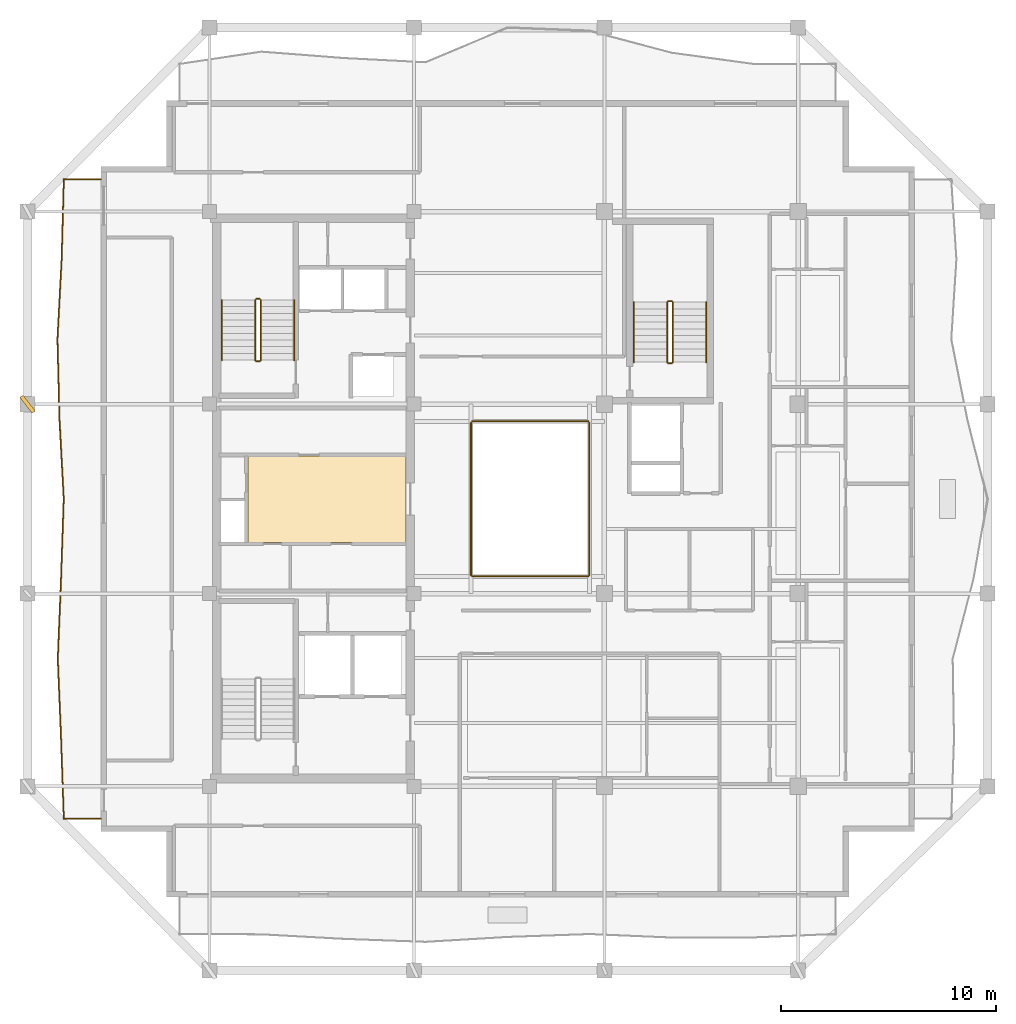
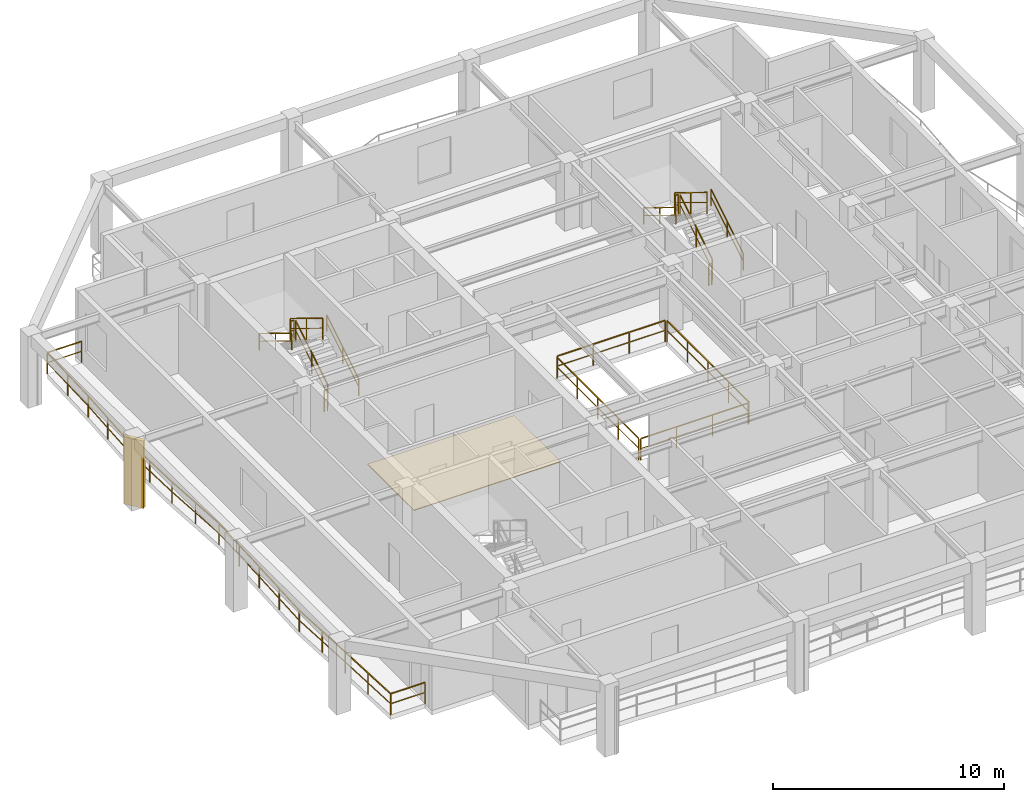
# One storey, part 8 of 10: 17 railings, 1 covering, 1 shading device.
"""IFC4 building model written with IfcOpenShell, lengths in metres."""

from ifc_helpers import new_model, si_unit, direction, frame, origin, origin_2d, place, context, subcontext, project, spatial, polyline, rectangle, outline, extrude, material, layer, layer_set, type_object, element, save


model = new_model("IFC4")

# Units and contexts
model_context = context("Model", 3, precision=1e-05, world=origin(), true_north=direction((0.0, 1.0)))
body_context = subcontext(model_context, "Body", "Model", "MODEL_VIEW")
ifc_project = project(units=[si_unit("LENGTHUNIT", "METRE"), si_unit("AREAUNIT", "SQUARE_METRE"), si_unit("VOLUMEUNIT", "CUBIC_METRE"), si_unit("PLANEANGLEUNIT", "RADIAN"), si_unit("MASSUNIT", "GRAM", prefix="KILO")], contexts=[model_context])

# Site, building, storey
site_placement = place(None, origin())
site = spatial("IfcSite", under=ifc_project, at=site_placement, CompositionType="ELEMENT")
building_placement = place(site_placement, origin())
building = spatial("IfcBuilding", under=site, at=building_placement, Name="Kundavana Baori Tower", CompositionType="ELEMENT")
storey_placement = place(building_placement, frame((0.0, 0.0, 312.5)))
storey = spatial("IfcBuildingStorey", under=building, at=storey_placement, Name="L77", CompositionType="ELEMENT", Elevation=312.5)

# Covering
ifc_material_1 = material(Name="Honed Kota Stone and Terrazzo Flooring", Category="masonry")
ifc_layer = layer(ifc_material_1, 0.0400390625, Name="COV-FLR-TERR-40")
ifc_layer_set = layer_set([ifc_layer], Name="Honed Kota Stone and Terrazzo Flooring")
covering_type = type_object("IfcCoveringType", Name="COV-FLR-TERR-40", PredefinedType="FLOORING", material=ifc_layer_set)
covering_placement = place(storey_placement, origin())
element("IfcCovering", 1, at=covering_placement, inside=storey, type_object=covering_type, Name="L77 Core Lift Lobby Kota Stone Flooring", PredefinedType="FLOORING", context=body_context, shape_type="SweptSolid", body=[
    extrude(outline(polyline([(17.25, 26.580078125), (24.580078125, 26.580078125), (24.580078125, 30.60009765625), (17.25, 30.60009765625), (17.25, 26.580078125)])), origin(), (0.0, 0.0, 1.0), 0.0400390625),
])

# Railings
ifc_material_2 = material(Name="Architectural Patinated Bronze Metalwork")
railing_type_1 = type_object("IfcRailingType", Name="RL-BAL-1150", PredefinedType="BALUSTRADE", material=ifc_material_2)
railing_1_placement = place(storey_placement, frame((10.39990234375, 13.75, 0.0)))
element("IfcRailing", 2, at=railing_1_placement, inside=storey, type_object=railing_type_1, Name="L77 Loggia Balcony Balustrade W", PredefinedType="BALUSTRADE", context=body_context, shape_type="SweptSolid", body=[
    extrude(rectangle(XDim=0.048095703125, YDim=0.048095703125, at=origin_2d()), frame((0.0, 0.0, 1.1259765625), z_axis=(-1.0, 0.0, 0.0), x_axis=(0.0, -1.0, 0.0)), (0.0, 0.0, 1.0), 1.719970703125),
    extrude(rectangle(XDim=0.03125, YDim=0.03125, at=origin_2d()), frame((0.0, 0.0, 0.597900390625), z_axis=(-1.0, 0.0, 0.0), x_axis=(0.0, -1.0, 0.0)), (0.0, 0.0, 1.0), 1.719970703125),
    extrude(rectangle(XDim=0.048095703125, YDim=0.048095703125, at=origin_2d()), frame((-1.719970703125, 0.0, 1.1259765625), z_axis=(-0.034444164091, 0.999406623732, 0.0), x_axis=(-0.999406623732, -0.034444164091, 0.0)), (0.0, 0.0, 1.0), 3.714111328125),
    extrude(rectangle(XDim=0.03125, YDim=0.03125, at=origin_2d()), frame((-1.719970703125, 0.0, 0.597900390625), z_axis=(-0.034444164091, 0.999406623732, 0.0), x_axis=(-0.999406623732, -0.034444164091, 0.0)), (0.0, 0.0, 1.0), 3.714111328125),
    extrude(rectangle(XDim=0.048095703125, YDim=0.048095703125, at=origin_2d()), frame((-1.847900390625, 3.7119140625, 1.1259765625), z_axis=(-0.040928264878, 0.999162087518, 0.0), x_axis=(-0.999162087518, -0.040928264878, 0.0)), (0.0, 0.0, 1.0), 3.71630859375),
    extrude(rectangle(XDim=0.03125, YDim=0.03125, at=origin_2d()), frame((-1.847900390625, 3.7119140625, 0.597900390625), z_axis=(-0.040928264878, 0.999162087518, 0.0), x_axis=(-0.999162087518, -0.040928264878, 0.0)), (0.0, 0.0, 1.0), 3.71630859375),
    extrude(rectangle(XDim=0.048095703125, YDim=0.048095703125, at=origin_2d()), frame((-2.0, 7.425048828125, 1.1259765625), z_axis=(0.040668588609, 0.99917269073, 0.0), x_axis=(-0.99917269073, 0.040668588609, 0.0)), (0.0, 0.0, 1.0), 3.716064453125),
    extrude(rectangle(XDim=0.03125, YDim=0.03125, at=origin_2d()), frame((-2.0, 7.425048828125, 0.597900390625), z_axis=(0.040668588609, 0.99917269073, 0.0), x_axis=(-0.99917269073, 0.040668588609, 0.0)), (0.0, 0.0, 1.0), 3.716064453125),
    extrude(rectangle(XDim=0.048095703125, YDim=0.048095703125, at=origin_2d()), frame((-1.848876953125, 11.137939453125, 1.1259765625), z_axis=(0.033654059412, 0.999433541705, 0.0), x_axis=(-0.999433541705, 0.033654059412, 0.0)), (0.0, 0.0, 1.0), 3.71435546875),
    extrude(rectangle(XDim=0.03125, YDim=0.03125, at=origin_2d()), frame((-1.848876953125, 11.137939453125, 0.597900390625), z_axis=(0.033654059412, 0.999433541705, 0.0), x_axis=(-0.999433541705, 0.033654059412, 0.0)), (0.0, 0.0, 1.0), 3.71435546875),
    extrude(rectangle(XDim=0.048095703125, YDim=0.048095703125, at=origin_2d()), frame((-1.723876953125, 14.85009765625, 1.1259765625), z_axis=(-0.053265502015, 0.998580385495, 0.0), x_axis=(-0.998580385495, -0.053265502015, 0.0)), (0.0, 0.0, 1.0), 3.71728515625),
    extrude(rectangle(XDim=0.03125, YDim=0.03125, at=origin_2d()), frame((-1.723876953125, 14.85009765625, 0.597900390625), z_axis=(-0.053265502015, 0.998580385495, 0.0), x_axis=(-0.998580385495, -0.053265502015, 0.0)), (0.0, 0.0, 1.0), 3.71728515625),
    extrude(rectangle(XDim=0.048095703125, YDim=0.048095703125, at=origin_2d()), frame((-1.921875, 18.56201171875, 1.1259765625), z_axis=(-0.025307515105, 0.999679713548, 0.0), x_axis=(-0.999679713548, -0.025307515105, 0.0)), (0.0, 0.0, 1.0), 3.714111328125),
    extrude(rectangle(XDim=0.03125, YDim=0.03125, at=origin_2d()), frame((-1.921875, 18.56201171875, 0.597900390625), z_axis=(-0.025307515105, 0.999679713548, 0.0), x_axis=(-0.999679713548, -0.025307515105, 0.0)), (0.0, 0.0, 1.0), 3.714111328125),
    extrude(rectangle(XDim=0.048095703125, YDim=0.048095703125, at=origin_2d()), frame((-2.015869140625, 22.27490234375, 1.1259765625), z_axis=(0.052462338074, 0.998622903344, 0.0), x_axis=(-0.998622903344, 0.052462338074, 0.0)), (0.0, 0.0, 1.0), 3.71826171875),
    extrude(rectangle(XDim=0.03125, YDim=0.03125, at=origin_2d()), frame((-2.015869140625, 22.27490234375, 0.597900390625), z_axis=(0.052462338074, 0.998622903344, 0.0), x_axis=(-0.998622903344, 0.052462338074, 0.0)), (0.0, 0.0, 1.0), 3.71826171875),
    extrude(rectangle(XDim=0.048095703125, YDim=0.048095703125, at=origin_2d()), frame((-1.82080078125, 25.988037109375, 1.1259765625), z_axis=(0.027153887959, 0.999631265202, 0.0), x_axis=(-0.999631265202, 0.027153887959, 0.0)), (0.0, 0.0, 1.0), 3.71337890625),
    extrude(rectangle(XDim=0.03125, YDim=0.03125, at=origin_2d()), frame((-1.82080078125, 25.988037109375, 0.597900390625), z_axis=(0.027153887959, 0.999631265202, 0.0), x_axis=(-0.999631265202, 0.027153887959, 0.0)), (0.0, 0.0, 1.0), 3.71337890625),
    extrude(rectangle(XDim=0.048095703125, YDim=0.048095703125, at=origin_2d()), frame((-1.719970703125, 29.699951171875, 1.1259765625), z_axis=(1.0, 0.0, 0.0), x_axis=(0.0, 1.0, 0.0)), (0.0, 0.0, 1.0), 1.719970703125),
    extrude(rectangle(XDim=0.03125, YDim=0.03125, at=origin_2d()), frame((-1.719970703125, 29.699951171875, 0.597900390625), z_axis=(1.0, 0.0, 0.0), x_axis=(0.0, 1.0, 0.0)), (0.0, 0.0, 1.0), 1.719970703125),
    extrude(rectangle(XDim=0.0419921875, YDim=0.0419921875, at=origin_2d()), origin(), (0.0, 0.0, 1.0), 1.101806640625),
    extrude(rectangle(XDim=0.0419921875, YDim=0.0419921875, at=origin_2d()), frame((-1.719970703125, 0.0, 0.0)), (0.0, 0.0, 1.0), 1.101806640625),
    extrude(rectangle(XDim=0.0419921875, YDim=0.0419921875, at=origin_2d()), frame((-1.783935546875, 1.85595703125, 0.0)), (0.0, 0.0, 1.0), 1.101806640625),
    extrude(rectangle(XDim=0.0419921875, YDim=0.0419921875, at=origin_2d()), frame((-1.847900390625, 3.7119140625, 0.0)), (0.0, 0.0, 1.0), 1.101806640625),
    extrude(rectangle(XDim=0.0419921875, YDim=0.0419921875, at=origin_2d()), frame((-1.923828125, 5.568359375, 0.0)), (0.0, 0.0, 1.0), 1.101806640625),
    extrude(rectangle(XDim=0.0419921875, YDim=0.0419921875, at=origin_2d()), frame((-2.0, 7.425048828125, 0.0)), (0.0, 0.0, 1.0), 1.101806640625),
    extrude(rectangle(XDim=0.0419921875, YDim=0.0419921875, at=origin_2d()), frame((-1.92431640625, 9.281494140625, 0.0)), (0.0, 0.0, 1.0), 1.101806640625),
    extrude(rectangle(XDim=0.0419921875, YDim=0.0419921875, at=origin_2d()), frame((-1.848876953125, 11.137939453125, 0.0)), (0.0, 0.0, 1.0), 1.101806640625),
    extrude(rectangle(XDim=0.0419921875, YDim=0.0419921875, at=origin_2d()), frame((-1.786376953125, 12.994140625, 0.0)), (0.0, 0.0, 1.0), 1.101806640625),
    extrude(rectangle(XDim=0.0419921875, YDim=0.0419921875, at=origin_2d()), frame((-1.723876953125, 14.85009765625, 0.0)), (0.0, 0.0, 1.0), 1.101806640625),
    extrude(rectangle(XDim=0.0419921875, YDim=0.0419921875, at=origin_2d()), frame((-1.82275390625, 16.7060546875, 0.0)), (0.0, 0.0, 1.0), 1.101806640625),
    extrude(rectangle(XDim=0.0419921875, YDim=0.0419921875, at=origin_2d()), frame((-1.921875, 18.56201171875, 0.0)), (0.0, 0.0, 1.0), 1.101806640625),
    extrude(rectangle(XDim=0.0419921875, YDim=0.0419921875, at=origin_2d()), frame((-1.96875, 20.41845703125, 0.0)), (0.0, 0.0, 1.0), 1.101806640625),
    extrude(rectangle(XDim=0.0419921875, YDim=0.0419921875, at=origin_2d()), frame((-2.015869140625, 22.27490234375, 0.0)), (0.0, 0.0, 1.0), 1.101806640625),
    extrude(rectangle(XDim=0.0419921875, YDim=0.0419921875, at=origin_2d()), frame((-1.91845703125, 24.13134765625, 0.0)), (0.0, 0.0, 1.0), 1.101806640625),
    extrude(rectangle(XDim=0.0419921875, YDim=0.0419921875, at=origin_2d()), frame((-1.82080078125, 25.988037109375, 0.0)), (0.0, 0.0, 1.0), 1.101806640625),
    extrude(rectangle(XDim=0.0419921875, YDim=0.0419921875, at=origin_2d()), frame((-1.7705078125, 27.843994140625, 0.0)), (0.0, 0.0, 1.0), 1.101806640625),
    extrude(rectangle(XDim=0.0419921875, YDim=0.0419921875, at=origin_2d()), frame((-1.719970703125, 29.699951171875, 0.0)), (0.0, 0.0, 1.0), 1.101806640625),
    extrude(rectangle(XDim=0.0419921875, YDim=0.0419921875, at=origin_2d()), frame((0.0, 29.699951171875, 0.0)), (0.0, 0.0, 1.0), 1.101806640625),
])
ifc_material_3 = material(Name="Architectural Patinated Bronze Metalwork")
railing_type_2 = type_object("IfcRailingType", Name="RL-GRD-1150", PredefinedType="GUARDRAIL", material=ifc_material_3)
railing_2_placement = place(storey_placement, frame((17.840087890625, 35.050048828125, 0.18994140625)))
element("IfcRailing", 3, at=railing_2_placement, inside=storey, type_object=railing_type_2, Name="L77 ST2 stair guard 1", PredefinedType="GUARDRAIL", context=body_context, shape_type="SweptSolid", body=[
    extrude(rectangle(XDim=0.048095703125, YDim=0.048095703125, at=origin_2d()), frame((0.0, 0.0, 1.1259765625), z_axis=(0.0, 0.852609830418, 0.522548061975), x_axis=(-1.0, 0.0, 0.0)), (0.0, 0.0, 1.0), 3.2724609375),
    extrude(rectangle(XDim=0.03125, YDim=0.03125, at=origin_2d()), frame((0.0, 0.0, 0.597900390625), z_axis=(0.0, 0.852609830418, 0.522548061975), x_axis=(-1.0, 0.0, 0.0)), (0.0, 0.0, 1.0), 3.2724609375),
    extrude(rectangle(XDim=0.0419921875, YDim=0.0419921875, at=origin_2d()), origin(), (0.0, 0.0, 1.0), 1.101806640625),
    extrude(rectangle(XDim=0.0419921875, YDim=0.0419921875, at=origin_2d()), frame((0.0, 1.39501953125, 0.85498046875)), (0.0, 0.0, 1.0), 1.101806640625),
    extrude(rectangle(XDim=0.0419921875, YDim=0.0419921875, at=origin_2d()), frame((0.0, 2.7900390625, 1.7099609375)), (0.0, 0.0, 1.0), 1.101806640625),
])
railing_3_placement = place(storey_placement, frame((17.7900390625, 37.889892578125, 1.89990234375)))
element("IfcRailing", 4, at=railing_3_placement, inside=storey, type_object=railing_type_2, Name="L77 ST2 stair guard 2", PredefinedType="GUARDRAIL", context=body_context, shape_type="SweptSolid", body=[
    extrude(rectangle(XDim=0.048095703125, YDim=0.048095703125, at=origin_2d()), frame((0.0, 0.0, 1.1259765625), z_axis=(-1.0, 0.0, 0.0), x_axis=(0.0, -1.0, 0.0)), (0.0, 0.0, 1.0), 0.16015625),
    extrude(rectangle(XDim=0.03125, YDim=0.03125, at=origin_2d()), frame((0.0, 0.0, 0.597900390625), z_axis=(-1.0, 0.0, 0.0), x_axis=(0.0, -1.0, 0.0)), (0.0, 0.0, 1.0), 0.16015625),
    extrude(rectangle(XDim=0.0419921875, YDim=0.0419921875, at=origin_2d()), origin(), (0.0, 0.0, 1.0), 1.101806640625),
    extrude(rectangle(XDim=0.0419921875, YDim=0.0419921875, at=origin_2d()), frame((-0.16015625, 0.0, 0.0)), (0.0, 0.0, 1.0), 1.101806640625),
])
railing_4_placement = place(storey_placement, frame((17.580078125, 37.840087890625, 2.090087890625)))
element("IfcRailing", 5, at=railing_4_placement, inside=storey, type_object=railing_type_2, Name="L77 ST2 stair guard 3", PredefinedType="GUARDRAIL", context=body_context, shape_type="SweptSolid", body=[
    extrude(rectangle(XDim=0.048095703125, YDim=0.048095703125, at=origin_2d()), frame((0.0, 0.0, 1.1259765625), z_axis=(0.0, -0.852609830418, 0.522548061975), x_axis=(1.0, 0.0, 0.0)), (0.0, 0.0, 1.0), 3.2724609375),
    extrude(rectangle(XDim=0.03125, YDim=0.03125, at=origin_2d()), frame((0.0, 0.0, 0.597900390625), z_axis=(0.0, -0.852609830418, 0.522548061975), x_axis=(1.0, 0.0, 0.0)), (0.0, 0.0, 1.0), 3.2724609375),
    extrude(rectangle(XDim=0.0419921875, YDim=0.0419921875, at=origin_2d()), origin(), (0.0, 0.0, 1.0), 1.101806640625),
    extrude(rectangle(XDim=0.0419921875, YDim=0.0419921875, at=origin_2d()), frame((0.0, -1.39501953125, 0.85498046875)), (0.0, 0.0, 1.0), 1.101806640625),
    extrude(rectangle(XDim=0.0419921875, YDim=0.0419921875, at=origin_2d()), frame((0.0, -2.7900390625, 1.7099609375)), (0.0, 0.0, 1.0), 1.101806640625),
])
railing_5_placement = place(storey_placement, frame((17.7900390625, 35.0, 0.0)))
element("IfcRailing", 6, at=railing_5_placement, inside=storey, type_object=railing_type_2, Name="L77 ST2 stair guard 4", PredefinedType="GUARDRAIL", context=body_context, shape_type="SweptSolid", body=[
    extrude(rectangle(XDim=0.048095703125, YDim=0.048095703125, at=origin_2d()), frame((0.0, 0.0, 1.1259765625), z_axis=(-1.0, 0.0, 0.0), x_axis=(0.0, -1.0, 0.0)), (0.0, 0.0, 1.0), 0.16015625),
    extrude(rectangle(XDim=0.03125, YDim=0.03125, at=origin_2d()), frame((0.0, 0.0, 0.597900390625), z_axis=(-1.0, 0.0, 0.0), x_axis=(0.0, -1.0, 0.0)), (0.0, 0.0, 1.0), 0.16015625),
    extrude(rectangle(XDim=0.0419921875, YDim=0.0419921875, at=origin_2d()), origin(), (0.0, 0.0, 1.0), 1.101806640625),
    extrude(rectangle(XDim=0.0419921875, YDim=0.0419921875, at=origin_2d()), frame((-0.16015625, 0.0, 0.0)), (0.0, 0.0, 1.0), 1.101806640625),
])
railing_6_placement = place(storey_placement, frame((36.97998046875, 34.949951171875, 0.18994140625)))
element("IfcRailing", 7, at=railing_6_placement, inside=storey, type_object=railing_type_2, Name="L77 ST3 stair guard 1", PredefinedType="GUARDRAIL", context=body_context, shape_type="SweptSolid", body=[
    extrude(rectangle(XDim=0.048095703125, YDim=0.048095703125, at=origin_2d()), frame((0.0, 0.0, 1.1259765625), z_axis=(0.0, 0.852609830418, 0.522548061975), x_axis=(-1.0, 0.0, 0.0)), (0.0, 0.0, 1.0), 3.2724609375),
    extrude(rectangle(XDim=0.03125, YDim=0.03125, at=origin_2d()), frame((0.0, 0.0, 0.597900390625), z_axis=(0.0, 0.852609830418, 0.522548061975), x_axis=(-1.0, 0.0, 0.0)), (0.0, 0.0, 1.0), 3.2724609375),
    extrude(rectangle(XDim=0.0419921875, YDim=0.0419921875, at=origin_2d()), origin(), (0.0, 0.0, 1.0), 1.101806640625),
    extrude(rectangle(XDim=0.0419921875, YDim=0.0419921875, at=origin_2d()), frame((0.0, 1.39501953125, 0.85498046875)), (0.0, 0.0, 1.0), 1.101806640625),
    extrude(rectangle(XDim=0.0419921875, YDim=0.0419921875, at=origin_2d()), frame((0.0, 2.7900390625, 1.7099609375)), (0.0, 0.0, 1.0), 1.101806640625),
])
railing_7_placement = place(storey_placement, frame((36.929931640625, 37.7900390625, 1.89990234375)))
element("IfcRailing", 8, at=railing_7_placement, inside=storey, type_object=railing_type_2, Name="L77 ST3 stair guard 2", PredefinedType="GUARDRAIL", context=body_context, shape_type="SweptSolid", body=[
    extrude(rectangle(XDim=0.048095703125, YDim=0.048095703125, at=origin_2d()), frame((0.0, 0.0, 1.1259765625), z_axis=(-1.0, 0.0, 0.0), x_axis=(0.0, -1.0, 0.0)), (0.0, 0.0, 1.0), 0.159912109375),
    extrude(rectangle(XDim=0.03125, YDim=0.03125, at=origin_2d()), frame((0.0, 0.0, 0.597900390625), z_axis=(-1.0, 0.0, 0.0), x_axis=(0.0, -1.0, 0.0)), (0.0, 0.0, 1.0), 0.159912109375),
    extrude(rectangle(XDim=0.0419921875, YDim=0.0419921875, at=origin_2d()), origin(), (0.0, 0.0, 1.0), 1.101806640625),
    extrude(rectangle(XDim=0.0419921875, YDim=0.0419921875, at=origin_2d()), frame((-0.159912109375, 0.0, 0.0)), (0.0, 0.0, 1.0), 1.101806640625),
])
railing_8_placement = place(storey_placement, frame((36.719970703125, 37.739990234375, 2.090087890625)))
element("IfcRailing", 9, at=railing_8_placement, inside=storey, type_object=railing_type_2, Name="L77 ST3 stair guard 3", PredefinedType="GUARDRAIL", context=body_context, shape_type="SweptSolid", body=[
    extrude(rectangle(XDim=0.048095703125, YDim=0.048095703125, at=origin_2d()), frame((0.0, 0.0, 1.1259765625), z_axis=(0.0, -0.852609830418, 0.522548061975), x_axis=(1.0, 0.0, 0.0)), (0.0, 0.0, 1.0), 3.2724609375),
    extrude(rectangle(XDim=0.03125, YDim=0.03125, at=origin_2d()), frame((0.0, 0.0, 0.597900390625), z_axis=(0.0, -0.852609830418, 0.522548061975), x_axis=(1.0, 0.0, 0.0)), (0.0, 0.0, 1.0), 3.2724609375),
    extrude(rectangle(XDim=0.0419921875, YDim=0.0419921875, at=origin_2d()), origin(), (0.0, 0.0, 1.0), 1.101806640625),
    extrude(rectangle(XDim=0.0419921875, YDim=0.0419921875, at=origin_2d()), frame((0.0, -1.39501953125, 0.85498046875)), (0.0, 0.0, 1.0), 1.101806640625),
    extrude(rectangle(XDim=0.0419921875, YDim=0.0419921875, at=origin_2d()), frame((0.0, -2.7900390625, 1.7099609375)), (0.0, 0.0, 1.0), 1.101806640625),
])
railing_9_placement = place(storey_placement, frame((36.929931640625, 34.89990234375, 0.0)))
element("IfcRailing", 10, at=railing_9_placement, inside=storey, type_object=railing_type_2, Name="L77 ST3 stair guard 4", PredefinedType="GUARDRAIL", context=body_context, shape_type="SweptSolid", body=[
    extrude(rectangle(XDim=0.048095703125, YDim=0.048095703125, at=origin_2d()), frame((0.0, 0.0, 1.1259765625), z_axis=(-1.0, 0.0, 0.0), x_axis=(0.0, -1.0, 0.0)), (0.0, 0.0, 1.0), 0.159912109375),
    extrude(rectangle(XDim=0.03125, YDim=0.03125, at=origin_2d()), frame((0.0, 0.0, 0.597900390625), z_axis=(-1.0, 0.0, 0.0), x_axis=(0.0, -1.0, 0.0)), (0.0, 0.0, 1.0), 0.159912109375),
    extrude(rectangle(XDim=0.0419921875, YDim=0.0419921875, at=origin_2d()), origin(), (0.0, 0.0, 1.0), 1.101806640625),
    extrude(rectangle(XDim=0.0419921875, YDim=0.0419921875, at=origin_2d()), frame((-0.159912109375, 0.0, 0.0)), (0.0, 0.0, 1.0), 1.101806640625),
])
railing_10_placement = place(storey_placement, frame((27.659912109375, 25.0, 0.0)))
element("IfcRailing", 11, at=railing_10_placement, inside=storey, type_object=railing_type_2, Name="L77 Atrium Void Perimeter Guardrail S", PredefinedType="GUARDRAIL", context=body_context, shape_type="SweptSolid", body=[
    extrude(rectangle(XDim=0.048095703125, YDim=0.048095703125, at=origin_2d()), frame((0.0, 0.0, 1.1259765625), z_axis=(1.0, 0.0, 0.0), x_axis=(0.0, 1.0, 0.0)), (0.0, 0.0, 1.0), 5.380126953125),
    extrude(rectangle(XDim=0.03125, YDim=0.03125, at=origin_2d()), frame((0.0, 0.0, 0.597900390625), z_axis=(1.0, 0.0, 0.0), x_axis=(0.0, 1.0, 0.0)), (0.0, 0.0, 1.0), 5.380126953125),
    extrude(rectangle(XDim=0.0419921875, YDim=0.0419921875, at=origin_2d()), origin(), (0.0, 0.0, 1.0), 1.101806640625),
    extrude(rectangle(XDim=0.0419921875, YDim=0.0419921875, at=origin_2d()), frame((1.79345703125, 0.0, 0.0)), (0.0, 0.0, 1.0), 1.101806640625),
    extrude(rectangle(XDim=0.0419921875, YDim=0.0419921875, at=origin_2d()), frame((3.586669921875, 0.0, 0.0)), (0.0, 0.0, 1.0), 1.101806640625),
    extrude(rectangle(XDim=0.0419921875, YDim=0.0419921875, at=origin_2d()), frame((5.380126953125, 0.0, 0.0)), (0.0, 0.0, 1.0), 1.101806640625),
])
railing_11_placement = place(storey_placement, frame((33.10009765625, 25.06005859375, 0.0)))
element("IfcRailing", 12, at=railing_11_placement, inside=storey, type_object=railing_type_2, Name="L77 Atrium Void Perimeter Guardrail E", PredefinedType="GUARDRAIL", context=body_context, shape_type="SweptSolid", body=[
    extrude(rectangle(XDim=0.048095703125, YDim=0.048095703125, at=origin_2d()), frame((0.0, 0.0, 1.1259765625), z_axis=(0.0, 1.0, 0.0), x_axis=(-1.0, 0.0, 0.0)), (0.0, 0.0, 1.0), 7.079833984375),
    extrude(rectangle(XDim=0.03125, YDim=0.03125, at=origin_2d()), frame((0.0, 0.0, 0.597900390625), z_axis=(0.0, 1.0, 0.0), x_axis=(-1.0, 0.0, 0.0)), (0.0, 0.0, 1.0), 7.079833984375),
    extrude(rectangle(XDim=0.0419921875, YDim=0.0419921875, at=origin_2d()), origin(), (0.0, 0.0, 1.0), 1.101806640625),
    extrude(rectangle(XDim=0.0419921875, YDim=0.0419921875, at=origin_2d()), frame((0.0, 1.77001953125, 0.0)), (0.0, 0.0, 1.0), 1.101806640625),
    extrude(rectangle(XDim=0.0419921875, YDim=0.0419921875, at=origin_2d()), frame((0.0, 3.5400390625, 0.0)), (0.0, 0.0, 1.0), 1.101806640625),
    extrude(rectangle(XDim=0.0419921875, YDim=0.0419921875, at=origin_2d()), frame((0.0, 5.309814453125, 0.0)), (0.0, 0.0, 1.0), 1.101806640625),
    extrude(rectangle(XDim=0.0419921875, YDim=0.0419921875, at=origin_2d()), frame((0.0, 7.079833984375, 0.0)), (0.0, 0.0, 1.0), 1.101806640625),
])
railing_12_placement = place(storey_placement, frame((33.0400390625, 32.199951171875, 0.0)))
element("IfcRailing", 13, at=railing_12_placement, inside=storey, type_object=railing_type_2, Name="L77 Atrium Void Perimeter Guardrail N", PredefinedType="GUARDRAIL", context=body_context, shape_type="SweptSolid", body=[
    extrude(rectangle(XDim=0.048095703125, YDim=0.048095703125, at=origin_2d()), frame((0.0, 0.0, 1.1259765625), z_axis=(-1.0, 0.0, 0.0), x_axis=(0.0, -1.0, 0.0)), (0.0, 0.0, 1.0), 5.380126953125),
    extrude(rectangle(XDim=0.03125, YDim=0.03125, at=origin_2d()), frame((0.0, 0.0, 0.597900390625), z_axis=(-1.0, 0.0, 0.0), x_axis=(0.0, -1.0, 0.0)), (0.0, 0.0, 1.0), 5.380126953125),
    extrude(rectangle(XDim=0.0419921875, YDim=0.0419921875, at=origin_2d()), origin(), (0.0, 0.0, 1.0), 1.101806640625),
    extrude(rectangle(XDim=0.0419921875, YDim=0.0419921875, at=origin_2d()), frame((-1.79345703125, 0.0, 0.0)), (0.0, 0.0, 1.0), 1.101806640625),
    extrude(rectangle(XDim=0.0419921875, YDim=0.0419921875, at=origin_2d()), frame((-3.586669921875, 0.0, 0.0)), (0.0, 0.0, 1.0), 1.101806640625),
    extrude(rectangle(XDim=0.0419921875, YDim=0.0419921875, at=origin_2d()), frame((-5.380126953125, 0.0, 0.0)), (0.0, 0.0, 1.0), 1.101806640625),
])
railing_13_placement = place(storey_placement, frame((27.60009765625, 32.139892578125, 0.0)))
element("IfcRailing", 14, at=railing_13_placement, inside=storey, type_object=railing_type_2, Name="L77 Atrium Void Perimeter Guardrail W", PredefinedType="GUARDRAIL", context=body_context, shape_type="SweptSolid", body=[
    extrude(rectangle(XDim=0.048095703125, YDim=0.048095703125, at=origin_2d()), frame((0.0, 0.0, 1.1259765625), z_axis=(0.0, -1.0, 0.0), x_axis=(1.0, 0.0, 0.0)), (0.0, 0.0, 1.0), 7.079833984375),
    extrude(rectangle(XDim=0.03125, YDim=0.03125, at=origin_2d()), frame((0.0, 0.0, 0.597900390625), z_axis=(0.0, -1.0, 0.0), x_axis=(1.0, 0.0, 0.0)), (0.0, 0.0, 1.0), 7.079833984375),
    extrude(rectangle(XDim=0.0419921875, YDim=0.0419921875, at=origin_2d()), origin(), (0.0, 0.0, 1.0), 1.101806640625),
    extrude(rectangle(XDim=0.0419921875, YDim=0.0419921875, at=origin_2d()), frame((0.0, -1.77001953125, 0.0)), (0.0, 0.0, 1.0), 1.101806640625),
    extrude(rectangle(XDim=0.0419921875, YDim=0.0419921875, at=origin_2d()), frame((0.0, -3.5400390625, 0.0)), (0.0, 0.0, 1.0), 1.101806640625),
    extrude(rectangle(XDim=0.0419921875, YDim=0.0419921875, at=origin_2d()), frame((0.0, -5.309814453125, 0.0)), (0.0, 0.0, 1.0), 1.101806640625),
    extrude(rectangle(XDim=0.0419921875, YDim=0.0419921875, at=origin_2d()), frame((0.0, -7.079833984375, 0.0)), (0.0, 0.0, 1.0), 1.101806640625),
])
ifc_material_4 = material(Name="Architectural Patinated Bronze Metalwork")
railing_type_3 = type_object("IfcRailingType", Name="RL-HND-920", PredefinedType="HANDRAIL", material=ifc_material_4)
railing_14_placement = place(storey_placement, frame((19.389892578125, 35.050048828125, 0.18994140625)))
element("IfcRailing", 15, at=railing_14_placement, inside=storey, type_object=railing_type_3, Name="L77 ST2 stair handrail 1", PredefinedType="HANDRAIL", context=body_context, shape_type="SweptSolid", body=[
    extrude(rectangle(XDim=0.048095703125, YDim=0.048095703125, at=origin_2d()), frame((0.0, 0.0, 0.8759765625), z_axis=(0.0, 0.852609830418, 0.522548061975), x_axis=(-1.0, 0.0, 0.0)), (0.0, 0.0, 1.0), 3.2724609375),
    extrude(rectangle(XDim=0.03125, YDim=0.03125, at=origin_2d()), frame((0.0, 0.0, 0.468017578125), z_axis=(0.0, 0.852609830418, 0.522548061975), x_axis=(-1.0, 0.0, 0.0)), (0.0, 0.0, 1.0), 3.2724609375),
    extrude(rectangle(XDim=0.0419921875, YDim=0.0419921875, at=origin_2d()), origin(), (0.0, 0.0, 1.0), 0.851806640625),
    extrude(rectangle(XDim=0.0419921875, YDim=0.0419921875, at=origin_2d()), frame((0.0, 1.39501953125, 0.85498046875)), (0.0, 0.0, 1.0), 0.851806640625),
    extrude(rectangle(XDim=0.0419921875, YDim=0.0419921875, at=origin_2d()), frame((0.0, 2.7900390625, 1.7099609375)), (0.0, 0.0, 1.0), 0.851806640625),
])
railing_15_placement = place(storey_placement, frame((16.030029296875, 37.840087890625, 2.090087890625)))
element("IfcRailing", 16, at=railing_15_placement, inside=storey, type_object=railing_type_3, Name="L77 ST2 stair handrail 2", PredefinedType="HANDRAIL", context=body_context, shape_type="SweptSolid", body=[
    extrude(rectangle(XDim=0.048095703125, YDim=0.048095703125, at=origin_2d()), frame((0.0, 0.0, 0.8759765625), z_axis=(0.0, -0.852609830418, 0.522548061975), x_axis=(1.0, 0.0, 0.0)), (0.0, 0.0, 1.0), 3.2724609375),
    extrude(rectangle(XDim=0.03125, YDim=0.03125, at=origin_2d()), frame((0.0, 0.0, 0.468017578125), z_axis=(0.0, -0.852609830418, 0.522548061975), x_axis=(1.0, 0.0, 0.0)), (0.0, 0.0, 1.0), 3.2724609375),
    extrude(rectangle(XDim=0.0419921875, YDim=0.0419921875, at=origin_2d()), origin(), (0.0, 0.0, 1.0), 0.851806640625),
    extrude(rectangle(XDim=0.0419921875, YDim=0.0419921875, at=origin_2d()), frame((0.0, -1.39501953125, 0.85498046875)), (0.0, 0.0, 1.0), 0.851806640625),
    extrude(rectangle(XDim=0.0419921875, YDim=0.0419921875, at=origin_2d()), frame((0.0, -2.7900390625, 1.7099609375)), (0.0, 0.0, 1.0), 0.851806640625),
])
railing_16_placement = place(storey_placement, frame((38.530029296875, 34.949951171875, 0.18994140625)))
element("IfcRailing", 17, at=railing_16_placement, inside=storey, type_object=railing_type_3, Name="L77 ST3 stair handrail 1", PredefinedType="HANDRAIL", context=body_context, shape_type="SweptSolid", body=[
    extrude(rectangle(XDim=0.048095703125, YDim=0.048095703125, at=origin_2d()), frame((0.0, 0.0, 0.8759765625), z_axis=(0.0, 0.852609830418, 0.522548061975), x_axis=(-1.0, 0.0, 0.0)), (0.0, 0.0, 1.0), 3.2724609375),
    extrude(rectangle(XDim=0.03125, YDim=0.03125, at=origin_2d()), frame((0.0, 0.0, 0.468017578125), z_axis=(0.0, 0.852609830418, 0.522548061975), x_axis=(-1.0, 0.0, 0.0)), (0.0, 0.0, 1.0), 3.2724609375),
    extrude(rectangle(XDim=0.0419921875, YDim=0.0419921875, at=origin_2d()), origin(), (0.0, 0.0, 1.0), 0.851806640625),
    extrude(rectangle(XDim=0.0419921875, YDim=0.0419921875, at=origin_2d()), frame((0.0, 1.39501953125, 0.85498046875)), (0.0, 0.0, 1.0), 0.851806640625),
    extrude(rectangle(XDim=0.0419921875, YDim=0.0419921875, at=origin_2d()), frame((0.0, 2.7900390625, 1.7099609375)), (0.0, 0.0, 1.0), 0.851806640625),
])
railing_17_placement = place(storey_placement, frame((35.169921875, 37.739990234375, 2.090087890625)))
element("IfcRailing", 18, at=railing_17_placement, inside=storey, type_object=railing_type_3, Name="L77 ST3 stair handrail 2", PredefinedType="HANDRAIL", context=body_context, shape_type="SweptSolid", body=[
    extrude(rectangle(XDim=0.048095703125, YDim=0.048095703125, at=origin_2d()), frame((0.0, 0.0, 0.8759765625), z_axis=(0.0, -0.852609830418, 0.522548061975), x_axis=(1.0, 0.0, 0.0)), (0.0, 0.0, 1.0), 3.2724609375),
    extrude(rectangle(XDim=0.03125, YDim=0.03125, at=origin_2d()), frame((0.0, 0.0, 0.468017578125), z_axis=(0.0, -0.852609830418, 0.522548061975), x_axis=(1.0, 0.0, 0.0)), (0.0, 0.0, 1.0), 3.2724609375),
    extrude(rectangle(XDim=0.0419921875, YDim=0.0419921875, at=origin_2d()), origin(), (0.0, 0.0, 1.0), 0.851806640625),
    extrude(rectangle(XDim=0.0419921875, YDim=0.0419921875, at=origin_2d()), frame((0.0, -1.39501953125, 0.85498046875)), (0.0, 0.0, 1.0), 0.851806640625),
    extrude(rectangle(XDim=0.0419921875, YDim=0.0419921875, at=origin_2d()), frame((0.0, -2.7900390625, 1.7099609375)), (0.0, 0.0, 1.0), 0.851806640625),
])

# Shading device
ifc_material_5 = material(Name="Red-Buff Dholpur Sandstone Cladding on Concrete C40/50", Category="masonry")
shading_device_type = type_object("IfcShadingDeviceType", Name="SHD-FIN-920", PredefinedType="JALOUSIE", material=ifc_material_5)
shading_device_placement = place(storey_placement, frame((7.0, 33.0, 0.0), z_axis=(0.0, 0.0, 1.0), x_axis=(0.791116789314, 0.611665125429, 0.0)))
element("IfcShadingDevice", 19, at=shading_device_placement, inside=storey, type_object=shading_device_type, Name="L77 Sweeping Dholpur Sandstone Facade Fin 7", PredefinedType="JALOUSIE", context=body_context, shape_type="SweptSolid", body=[
    extrude(rectangle(XDim=0.179931640625, YDim=0.919921875, at=origin_2d()), origin(), (0.0, 0.0, 1.0), 3.56005859375),
])

save(model, "model.ifc")
